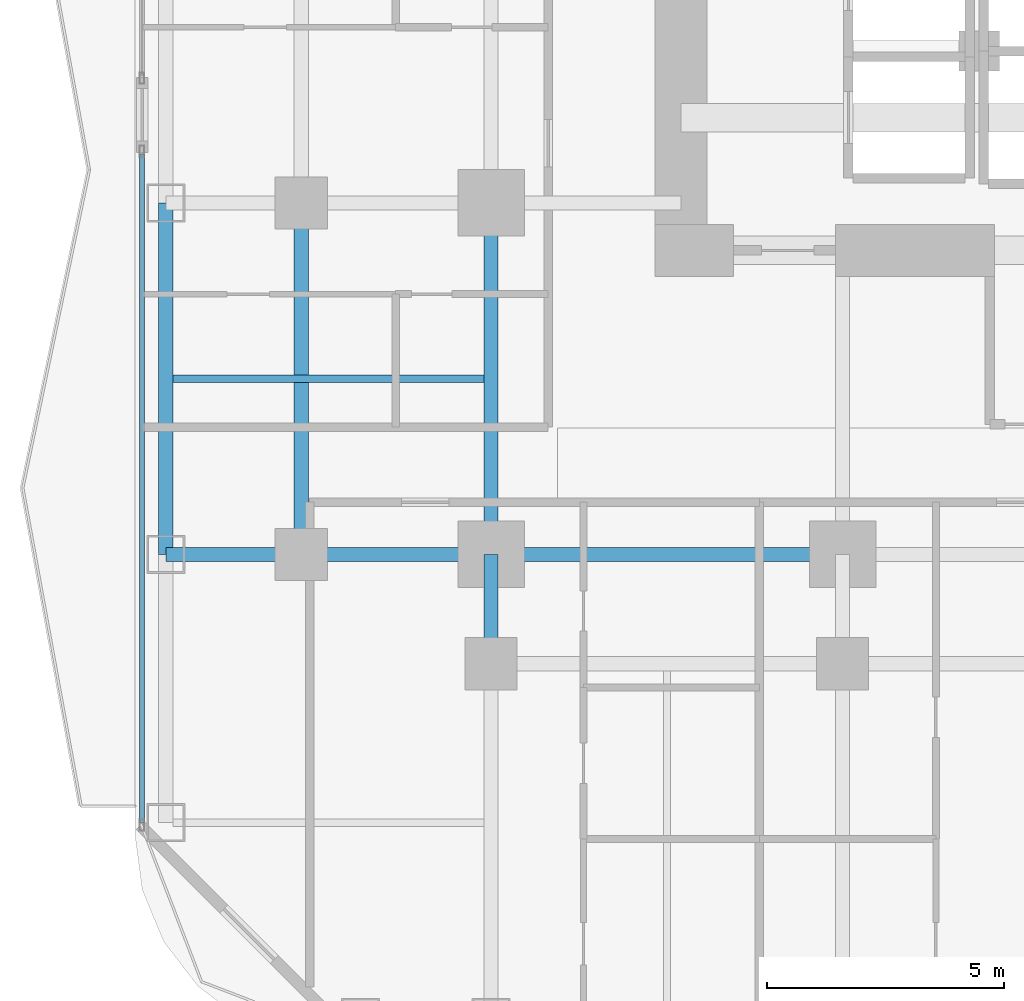
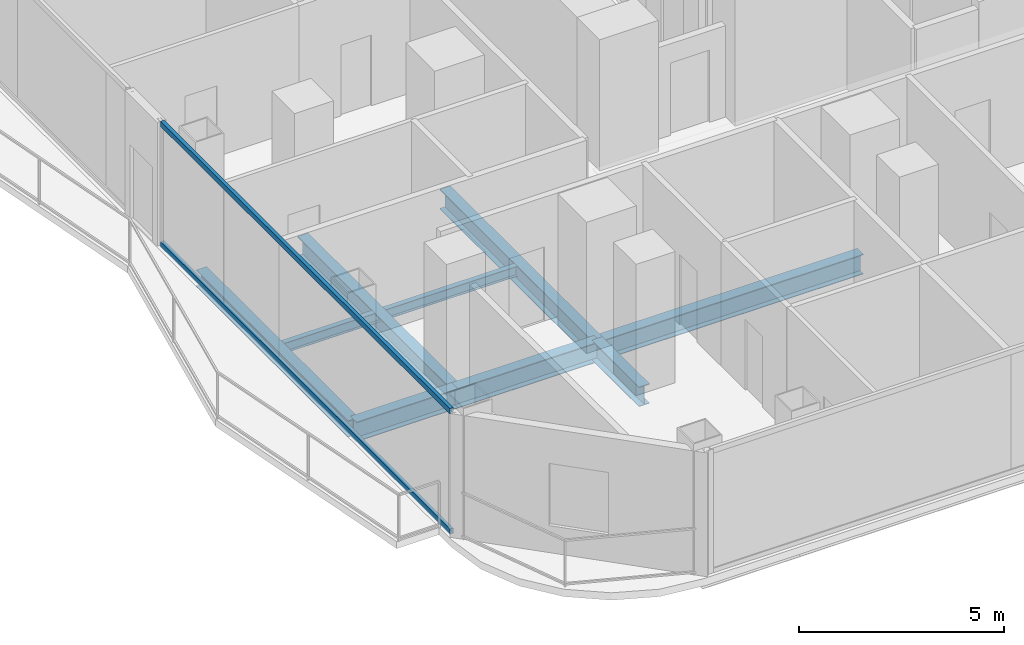
# One storey, part 3 of 28: 8 beams, 2 members, 1 element without a shape of its own.
"""IFC4 building model written with IfcOpenShell, lengths in metres."""

from ifc_helpers import new_model, si_unit, direction, frame, origin, origin_2d, place, context, subcontext, project, spatial, hollow_rectangle, i_section, extrude, material, layer, layer_set, material_profile, profile_set, type_object, element, aggregate, save


model = new_model("IFC4")

# Units and contexts
model_context = context("Model", 3, precision=1e-05, world=origin(), true_north=direction((0.0, 1.0)))
body_context = subcontext(model_context, "Body", "Model", "MODEL_VIEW")
ifc_project = project(units=[si_unit("LENGTHUNIT", "METRE"), si_unit("AREAUNIT", "SQUARE_METRE"), si_unit("VOLUMEUNIT", "CUBIC_METRE"), si_unit("PLANEANGLEUNIT", "RADIAN"), si_unit("MASSUNIT", "GRAM", prefix="KILO")], contexts=[model_context])

# Site, building, storey
site_placement = place(None, origin())
site = spatial("IfcSite", under=ifc_project, at=site_placement, CompositionType="ELEMENT")
building_placement = place(site_placement, origin())
building = spatial("IfcBuilding", under=site, at=building_placement, Name="Khorvyn Point Tower", CompositionType="ELEMENT")
storey_placement = place(building_placement, frame((0.0, 0.0, 34.5)))
storey = spatial("IfcBuildingStorey", under=building, at=storey_placement, Name="L09", CompositionType="ELEMENT", Elevation=34.5)

# Curtain wall, members
ifc_material_1 = material(Name="Anodised aluminium 6063-T6 and laminated Low-E glass", Category="aluminium")
ifc_layer = layer(ifc_material_1, 0.18994140625)
ifc_layer_set = layer_set([ifc_layer], Name="Stick-Built Finned Residential Curtain Wall CW-SYS-02")
curtain_wall_type = type_object("IfcCurtainWallType", Name="Stick-Built Finned Residential Curtain Wall CW-SYS-02", PredefinedType="NOTDEFINED", material=ifc_layer_set)
curtain_wall_placement = place(storey_placement, origin())
curtain_wall = element("IfcCurtainWall", 1, at=curtain_wall_placement, inside=storey, type_object=curtain_wall_type, Name="Curtain Wall", PredefinedType="NOTDEFINED")
ifc_material_2 = material(Name="Anodised aluminium 6063-T6", Category="aluminium")
ifc_material_profile_1 = material_profile(ifc_material_2, hollow_rectangle(XDim=0.10009765625, YDim=0.159912109375, WallThickness=0.00439453125, at=origin_2d()))
ifc_profile_set_1 = profile_set([ifc_material_profile_1], Name="Anodised aluminium 6063-T6 ALU-TRN-100x160")
member_type = type_object("IfcMemberType", Name="Anodised Aluminium 6063-T6 Transom ALU-TRN-100x160", PredefinedType="USERDEFINED", material=ifc_profile_set_1)
member_1_placement = place(storey_placement, frame((-22.14990234375, -20.449951171875, 0.050048828125), z_axis=(0.0, 1.0, 0.0), x_axis=(-1.0, 0.0, 0.0)))
member_1 = element("IfcMember", 2, at=member_1_placement, type_object=member_type, Name="Transom", ObjectType="TRANSOM", PredefinedType="USERDEFINED", context=body_context, shape_type="SweptSolid", body=[
    extrude(hollow_rectangle(XDim=0.10009765625, YDim=0.159912109375, WallThickness=0.00439453125, at=origin_2d()), origin(), (0.0, 0.0, 1.0), 14.0859375),
])
member_2_placement = place(storey_placement, frame((-22.14990234375, -20.449951171875, 3.6298828125), z_axis=(0.0, 1.0, 0.0), x_axis=(-1.0, 0.0, 0.0)))
member_2 = element("IfcMember", 3, at=member_2_placement, type_object=member_type, Name="Transom", ObjectType="TRANSOM", PredefinedType="USERDEFINED", context=body_context, shape_type="SweptSolid", body=[
    extrude(hollow_rectangle(XDim=0.10009765625, YDim=0.159912109375, WallThickness=0.00439453125, at=origin_2d()), origin(), (0.0, 0.0, 1.0), 14.0859375),
])
aggregate(curtain_wall, [member_1, member_2])

# Beams
ifc_material_3 = material(Name="Steel S355", Category="steel")
ifc_material_profile_2 = material_profile(ifc_material_3, i_section(OverallWidth=0.300048828125, OverallDepth=0.587890625, WebThickness=0.011962890625, FlangeThickness=0.02001953125, at=origin_2d()))
ifc_profile_set_2 = profile_set([ifc_material_profile_2], Name="Steel S355 H588x300x12x20")
beam_type_1 = type_object("IfcBeamType", Name="Steel S355 Beam H588x300x12x20", PredefinedType="BEAM", material=ifc_profile_set_2)
beam_1_placement = place(storey_placement, frame((-21.64990234375, -14.800048828125, -0.513916015625), z_axis=(1.0, 0.0, 0.0), x_axis=(0.0, 1.0, 0.0)))
element("IfcBeam", 4, at=beam_1_placement, inside=storey, type_object=beam_type_1, Name="Beam", PredefinedType="BEAM", context=body_context, shape_type="SweptSolid", body=[
    extrude(i_section(OverallWidth=0.300048828125, OverallDepth=0.587890625, WebThickness=0.011962890625, FlangeThickness=0.02001953125, at=origin_2d()), origin(), (0.0, 0.0, 1.0), 2.849853515625),
])
beam_2_placement = place(storey_placement, frame((-18.800048828125, -14.800048828125, -0.513916015625), z_axis=(1.0, 0.0, 0.0), x_axis=(0.0, 1.0, 0.0)))
element("IfcBeam", 5, at=beam_2_placement, inside=storey, type_object=beam_type_1, Name="Beam", PredefinedType="BEAM", context=body_context, shape_type="SweptSolid", body=[
    extrude(i_section(OverallWidth=0.300048828125, OverallDepth=0.587890625, WebThickness=0.011962890625, FlangeThickness=0.02001953125, at=origin_2d()), origin(), (0.0, 0.0, 1.0), 4.0),
])
beam_3_placement = place(storey_placement, frame((-14.800048828125, -14.800048828125, -0.513916015625), z_axis=(1.0, 0.0, 0.0), x_axis=(0.0, 1.0, 0.0)))
element("IfcBeam", 6, at=beam_3_placement, inside=storey, type_object=beam_type_1, Name="Beam", PredefinedType="BEAM", context=body_context, shape_type="SweptSolid", body=[
    extrude(i_section(OverallWidth=0.300048828125, OverallDepth=0.587890625, WebThickness=0.011962890625, FlangeThickness=0.02001953125, at=origin_2d()), origin(), (0.0, 0.0, 1.0), 7.400146484375),
])
beam_4_placement = place(storey_placement, frame((-14.800048828125, -17.10009765625, -0.513916015625), z_axis=(0.0, 1.0, 0.0), x_axis=(-1.0, 0.0, 0.0)))
element("IfcBeam", 7, at=beam_4_placement, inside=storey, type_object=beam_type_1, Name="Beam", PredefinedType="BEAM", context=body_context, shape_type="SweptSolid", body=[
    extrude(i_section(OverallWidth=0.300048828125, OverallDepth=0.587890625, WebThickness=0.011962890625, FlangeThickness=0.02001953125, at=origin_2d()), origin(), (0.0, 0.0, 1.0), 2.300048828125),
])
for number, where, z_axis, x_axis, name in (
    (8, (-14.800048828125, -14.800048828125, -0.513916015625), (0.0, 1.0, 0.0), (-1.0, 0.0, 0.0), "Beam"),
    (9, (-18.800048828125, -14.800048828125, -0.513916015625), (0.0, 1.0, 0.0), (-1.0, 0.0, 0.0), "Beam"),
):
    element("IfcBeam", number, at=place(storey_placement, frame(where, z_axis=z_axis, x_axis=x_axis)), inside=storey, type_object=beam_type_1, Name=name, PredefinedType="BEAM", context=body_context, shape_type="SweptSolid", body=[
        extrude(i_section(OverallWidth=0.300048828125, OverallDepth=0.587890625, WebThickness=0.011962890625, FlangeThickness=0.02001953125, at=origin_2d()), origin(), (0.0, 0.0, 1.0), 7.400146484375),
    ])
ifc_material_profile_3 = material_profile(ifc_material_3, i_section(OverallWidth=0.14990234375, OverallDepth=0.300048828125, WebThickness=0.006591796875, FlangeThickness=0.009033203125, at=origin_2d()))
ifc_profile_set_3 = profile_set([ifc_material_profile_3], Name="Steel S355 H300x150x6.5x9")
beam_type_2 = type_object("IfcBeamType", Name="Steel S355 Joist H300x150x6.5x9", PredefinedType="JOIST", material=ifc_profile_set_3)
beam_5_placement = place(storey_placement, frame((-21.5, -11.10009765625, -0.3701171875), z_axis=(1.0, 0.0, 0.0), x_axis=(0.0, 1.0, 0.0)))
element("IfcBeam", 10, at=beam_5_placement, inside=storey, type_object=beam_type_2, Name="Beam", PredefinedType="JOIST", context=body_context, shape_type="SweptSolid", body=[
    extrude(i_section(OverallWidth=0.14990234375, OverallDepth=0.300048828125, WebThickness=0.006591796875, FlangeThickness=0.009033203125, at=origin_2d()), origin(), (0.0, 0.0, 1.0), 6.550048828125),
])
ifc_material_profile_4 = material_profile(ifc_material_3, i_section(OverallWidth=0.300048828125, OverallDepth=0.488037109375, WebThickness=0.010986328125, FlangeThickness=0.01806640625, at=origin_2d()))
ifc_profile_set_4 = profile_set([ifc_material_profile_4], Name="Steel S355 H488x300x11x18")
beam_type_3 = type_object("IfcBeamType", Name="Steel S355 Spandrel H488x300x11x18", PredefinedType="SPANDREL", material=ifc_profile_set_4)
beam_6_placement = place(storey_placement, frame((-21.64990234375, -14.800048828125, -0.464111328125), z_axis=(0.0, 1.0, 0.0), x_axis=(-1.0, 0.0, 0.0)))
element("IfcBeam", 11, at=beam_6_placement, inside=storey, type_object=beam_type_3, Name="Beam", PredefinedType="SPANDREL", context=body_context, shape_type="SweptSolid", body=[
    extrude(i_section(OverallWidth=0.300048828125, OverallDepth=0.488037109375, WebThickness=0.010986328125, FlangeThickness=0.01806640625, at=origin_2d()), origin(), (0.0, 0.0, 1.0), 7.400146484375),
])

save(model, "model.ifc")
